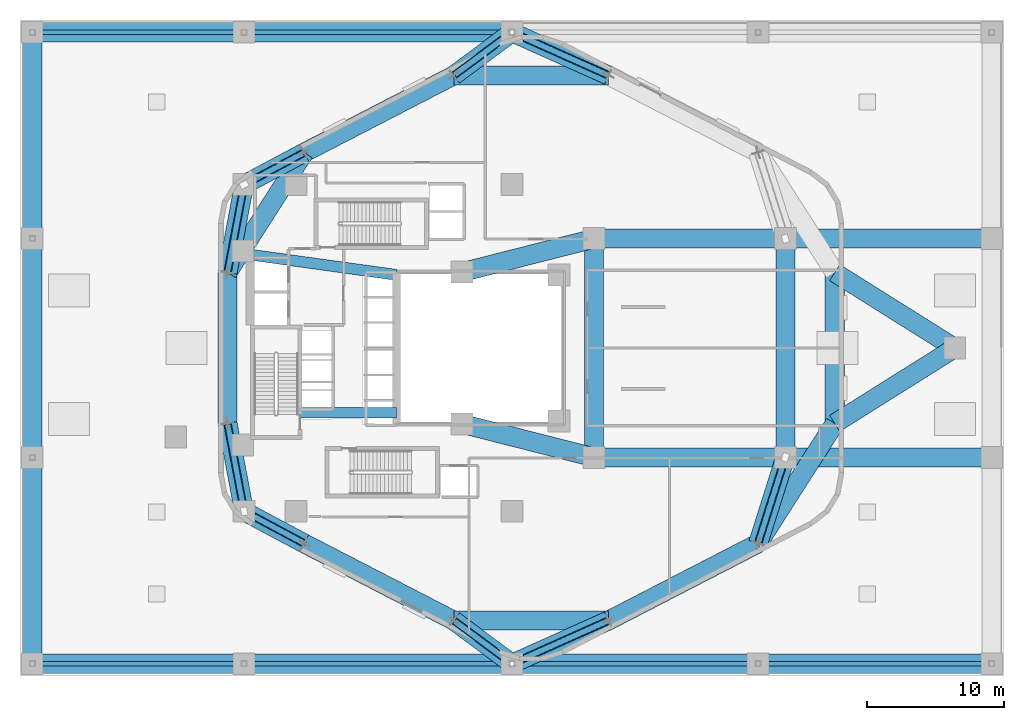
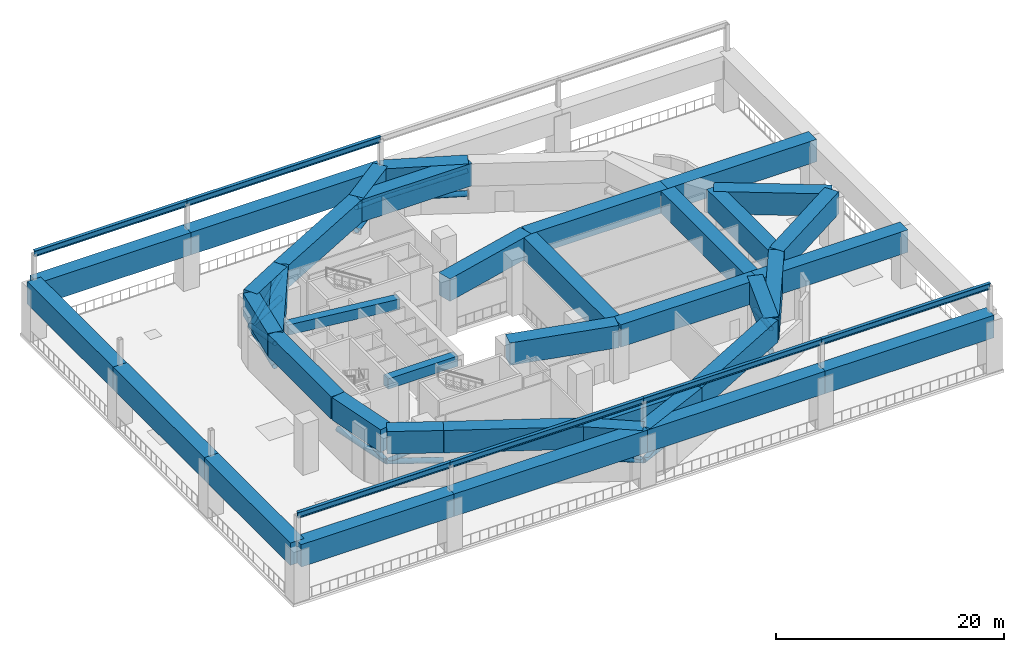
# One storey, part 5 of 15: 45 beams, 18 members.
"""IFC4 building model written with IfcOpenShell, lengths in metres."""

from ifc_helpers import new_model, si_unit, direction, frame, origin, origin_2d, place, context, subcontext, project, spatial, rectangle, hollow_circle, i_section, extrude, material, material_profile, profile_set, type_object, element, save


model = new_model("IFC4")

# Units and contexts
model_context = context("Model", 3, precision=1e-05, world=origin(), true_north=direction((0.0, 1.0)))
body_context = subcontext(model_context, "Body", "Model", "MODEL_VIEW")
ifc_project = project(units=[si_unit("LENGTHUNIT", "METRE"), si_unit("AREAUNIT", "SQUARE_METRE"), si_unit("VOLUMEUNIT", "CUBIC_METRE"), si_unit("PLANEANGLEUNIT", "RADIAN"), si_unit("MASSUNIT", "GRAM", prefix="KILO"), si_unit("THERMODYNAMICTEMPERATUREUNIT", "KELVIN"), si_unit("POWERUNIT", "WATT")], contexts=[model_context])

# Site, building, storey
site_placement = place(None, origin())
site = spatial("IfcSite", under=ifc_project, at=site_placement, CompositionType="ELEMENT")
building_placement = place(site_placement, origin())
building = spatial("IfcBuilding", under=site, at=building_placement, Name="Skarre Station Tower", CompositionType="ELEMENT")
storey_placement = place(building_placement, frame((0.0, 0.0, 21.0)))
storey = spatial("IfcBuildingStorey", under=building, at=storey_placement, Name="L05", CompositionType="ELEMENT", Elevation=21.0)

# Beams
ifc_material_1 = material(Name="Concrete C70/85", Category="concrete")
ifc_material_profile_1 = material_profile(ifc_material_1, rectangle(XDim=1.39990234375, YDim=2.39990234375, at=origin_2d()), Name="Concrete C70/85")
ifc_profile_set_1 = profile_set([ifc_material_profile_1], Name="Concrete C70/85")
beam_type_1 = type_object("IfcBeamType", Name="RC Concourse Transfer Girder 1400x2400", PredefinedType="USERDEFINED", material=ifc_profile_set_1)
beam_1_placement = place(storey_placement, frame((0.89990234375, 0.89990234375, 4.800048828125), z_axis=(1.0, 0.0, 0.0), x_axis=(0.0, 1.0, 0.0)))
element("IfcBeam", 1, at=beam_1_placement, inside=storey, type_object=beam_type_1, Name="L05 Concourse Transfer Girder TG-M01", ObjectType="TRANSFER_GIRDER", PredefinedType="USERDEFINED", context=body_context, shape_type="SweptSolid", body=[
    extrude(rectangle(XDim=1.39990234375, YDim=2.39990234375, at=origin_2d()), origin(), (0.0, 0.0, 1.0), 15.5),
])
beam_2_placement = place(storey_placement, frame((16.39990234375, 0.89990234375, 4.800048828125), z_axis=(1.0, 0.0, 0.0), x_axis=(0.0, 1.0, 0.0)))
element("IfcBeam", 2, at=beam_2_placement, inside=storey, type_object=beam_type_1, Name="L05 Concourse Transfer Girder TG-M02", ObjectType="TRANSFER_GIRDER", PredefinedType="USERDEFINED", context=body_context, shape_type="SweptSolid", body=[
    extrude(rectangle(XDim=1.39990234375, YDim=2.39990234375, at=origin_2d()), origin(), (0.0, 0.0, 1.0), 19.60009765625),
])
beam_3_placement = place(storey_placement, frame((36.0, 0.89990234375, 4.800048828125), z_axis=(1.0, 0.0, 0.0), x_axis=(0.0, 1.0, 0.0)))
element("IfcBeam", 3, at=beam_3_placement, inside=storey, type_object=beam_type_1, Name="L05 Concourse Transfer Girder TG-M03", ObjectType="TRANSFER_GIRDER", PredefinedType="USERDEFINED", context=body_context, shape_type="SweptSolid", body=[
    extrude(rectangle(XDim=1.39990234375, YDim=2.39990234375, at=origin_2d()), origin(), (0.0, 0.0, 1.0), 18.0),
])
beam_4_placement = place(storey_placement, frame((54.0, 0.89990234375, 4.800048828125), z_axis=(1.0, 0.0, 0.0), x_axis=(0.0, 1.0, 0.0)))
element("IfcBeam", 4, at=beam_4_placement, inside=storey, type_object=beam_type_1, Name="L05 Concourse Transfer Girder TG-M04", ObjectType="TRANSFER_GIRDER", PredefinedType="USERDEFINED", context=body_context, shape_type="SweptSolid", body=[
    extrude(rectangle(XDim=1.39990234375, YDim=2.39990234375, at=origin_2d()), origin(), (0.0, 0.0, 1.0), 17.10009765625),
])
beam_5_placement = place(storey_placement, frame((0.89990234375, 47.10009765625, 4.800048828125), z_axis=(1.0, 0.0, 0.0), x_axis=(0.0, 1.0, 0.0)))
element("IfcBeam", 5, at=beam_5_placement, inside=storey, type_object=beam_type_1, Name="L05 Concourse Transfer Girder TG-M05", ObjectType="TRANSFER_GIRDER", PredefinedType="USERDEFINED", context=body_context, shape_type="SweptSolid", body=[
    extrude(rectangle(XDim=1.39990234375, YDim=2.39990234375, at=origin_2d()), origin(), (0.0, 0.0, 1.0), 15.5),
])
beam_6_placement = place(storey_placement, frame((16.39990234375, 47.10009765625, 4.800048828125), z_axis=(1.0, 0.0, 0.0), x_axis=(0.0, 1.0, 0.0)))
element("IfcBeam", 6, at=beam_6_placement, inside=storey, type_object=beam_type_1, Name="L05 Concourse Transfer Girder TG-M06", ObjectType="TRANSFER_GIRDER", PredefinedType="USERDEFINED", context=body_context, shape_type="SweptSolid", body=[
    extrude(rectangle(XDim=1.39990234375, YDim=2.39990234375, at=origin_2d()), origin(), (0.0, 0.0, 1.0), 19.60009765625),
])
beam_7_placement = place(storey_placement, frame((0.89990234375, 0.89990234375, 4.800048828125), z_axis=(0.0, 1.0, 0.0), x_axis=(-1.0, 0.0, 0.0)))
element("IfcBeam", 7, at=beam_7_placement, inside=storey, type_object=beam_type_1, Name="L05 Concourse Transfer Girder TG-M09", ObjectType="TRANSFER_GIRDER", PredefinedType="USERDEFINED", context=body_context, shape_type="SweptSolid", body=[
    extrude(rectangle(XDim=1.39990234375, YDim=2.39990234375, at=origin_2d()), origin(), (0.0, 0.0, 1.0), 15.10009765625),
])
beam_8_placement = place(storey_placement, frame((0.89990234375, 16.0, 4.800048828125), z_axis=(0.0, 1.0, 0.0), x_axis=(-1.0, 0.0, 0.0)))
element("IfcBeam", 8, at=beam_8_placement, inside=storey, type_object=beam_type_1, Name="L05 Concourse Transfer Girder TG-M10", ObjectType="TRANSFER_GIRDER", PredefinedType="USERDEFINED", context=body_context, shape_type="SweptSolid", body=[
    extrude(rectangle(XDim=1.39990234375, YDim=2.39990234375, at=origin_2d()), origin(), (0.0, 0.0, 1.0), 16.0),
])
beam_9_placement = place(storey_placement, frame((0.89990234375, 32.0, 4.800048828125), z_axis=(0.0, 1.0, 0.0), x_axis=(-1.0, 0.0, 0.0)))
element("IfcBeam", 9, at=beam_9_placement, inside=storey, type_object=beam_type_1, Name="L05 Concourse Transfer Girder TG-M11", ObjectType="TRANSFER_GIRDER", PredefinedType="USERDEFINED", context=body_context, shape_type="SweptSolid", body=[
    extrude(rectangle(XDim=1.39990234375, YDim=2.39990234375, at=origin_2d()), origin(), (0.0, 0.0, 1.0), 15.10009765625),
])
beam_10_placement = place(storey_placement, frame((32.35009765625, 18.449951171875, 4.800048828125), z_axis=(0.969250360418, -0.246076692982, 0.0), x_axis=(0.246076692982, 0.969250360418, 0.0)))
element("IfcBeam", 10, at=beam_10_placement, inside=storey, type_object=beam_type_1, Name="L05 Concourse Transfer Girder TG-M15", ObjectType="TRANSFER_GIRDER", PredefinedType="USERDEFINED", context=body_context, shape_type="SweptSolid", body=[
    extrude(rectangle(XDim=1.39990234375, YDim=2.39990234375, at=origin_2d()), origin(), (0.0, 0.0, 1.0), 9.9560546875),
])
beam_11_placement = place(storey_placement, frame((42.0, 16.0, 4.800048828125), z_axis=(1.0, 0.0, 0.0), x_axis=(0.0, 1.0, 0.0)))
element("IfcBeam", 11, at=beam_11_placement, inside=storey, type_object=beam_type_1, Name="L05 Concourse Transfer Girder TG-M16", ObjectType="TRANSFER_GIRDER", PredefinedType="USERDEFINED", context=body_context, shape_type="SweptSolid", body=[
    extrude(rectangle(XDim=1.39990234375, YDim=2.39990234375, at=origin_2d()), origin(), (0.0, 0.0, 1.0), 14.0),
])
beam_12_placement = place(storey_placement, frame((56.0, 16.0, 4.800048828125), z_axis=(1.0, 0.0, 0.0), x_axis=(0.0, 1.0, 0.0)))
element("IfcBeam", 12, at=beam_12_placement, inside=storey, type_object=beam_type_1, Name="L05 Concourse Transfer Girder TG-M17", ObjectType="TRANSFER_GIRDER", PredefinedType="USERDEFINED", context=body_context, shape_type="SweptSolid", body=[
    extrude(rectangle(XDim=1.39990234375, YDim=2.39990234375, at=origin_2d()), origin(), (0.0, 0.0, 1.0), 15.10009765625),
])
beam_13_placement = place(storey_placement, frame((32.35009765625, 29.550048828125, 4.800048828125), z_axis=(0.969250360418, 0.246076692982, 0.0), x_axis=(-0.246076692982, 0.969250360418, 0.0)))
element("IfcBeam", 13, at=beam_13_placement, inside=storey, type_object=beam_type_1, Name="L05 Concourse Transfer Girder TG-M18", ObjectType="TRANSFER_GIRDER", PredefinedType="USERDEFINED", context=body_context, shape_type="SweptSolid", body=[
    extrude(rectangle(XDim=1.39990234375, YDim=2.39990234375, at=origin_2d()), origin(), (0.0, 0.0, 1.0), 9.9560546875),
])
beam_14_placement = place(storey_placement, frame((42.0, 32.0, 4.800048828125), z_axis=(1.0, 0.0, 0.0), x_axis=(0.0, 1.0, 0.0)))
element("IfcBeam", 14, at=beam_14_placement, inside=storey, type_object=beam_type_1, Name="L05 Concourse Transfer Girder TG-M19", ObjectType="TRANSFER_GIRDER", PredefinedType="USERDEFINED", context=body_context, shape_type="SweptSolid", body=[
    extrude(rectangle(XDim=1.39990234375, YDim=2.39990234375, at=origin_2d()), origin(), (0.0, 0.0, 1.0), 14.0),
])
beam_15_placement = place(storey_placement, frame((56.0, 32.0, 4.800048828125), z_axis=(1.0, 0.0, 0.0), x_axis=(0.0, 1.0, 0.0)))
element("IfcBeam", 15, at=beam_15_placement, inside=storey, type_object=beam_type_1, Name="L05 Concourse Transfer Girder TG-M20", ObjectType="TRANSFER_GIRDER", PredefinedType="USERDEFINED", context=body_context, shape_type="SweptSolid", body=[
    extrude(rectangle(XDim=1.39990234375, YDim=2.39990234375, at=origin_2d()), origin(), (0.0, 0.0, 1.0), 15.10009765625),
])
for number, where, z_axis, x_axis, name in (
    (16, (42.0, 16.0, 4.800048828125), (0.0, 1.0, 0.0), (-1.0, 0.0, 0.0), "L05 Concourse Transfer Girder TG-M21"),
    (17, (56.0, 16.0, 4.800048828125), (0.0, 1.0, 0.0), (-1.0, 0.0, 0.0), "L05 Concourse Transfer Girder TG-M22"),
):
    element("IfcBeam", number, at=place(storey_placement, frame(where, z_axis=z_axis, x_axis=x_axis)), inside=storey, type_object=beam_type_1, Name=name, ObjectType="TRANSFER_GIRDER", PredefinedType="USERDEFINED", context=body_context, shape_type="SweptSolid", body=[
        extrude(rectangle(XDim=1.39990234375, YDim=2.39990234375, at=origin_2d()), origin(), (0.0, 0.0, 1.0), 16.0),
    ])
beam_16_placement = place(storey_placement, frame((43.06005859375, 43.947021484375, 4.800048828125), z_axis=(-1.0, 0.0, 0.0), x_axis=(0.0, -1.0, 0.0)))
element("IfcBeam", 18, at=beam_16_placement, inside=storey, type_object=beam_type_1, Name="L05 Hexagonal Ring Transfer Girder 2", ObjectType="TRANSFER_GIRDER", PredefinedType="USERDEFINED", context=body_context, shape_type="SweptSolid", body=[
    extrude(rectangle(XDim=1.39990234375, YDim=2.39990234375, at=origin_2d()), origin(), (0.0, 0.0, 1.0), 11.320068359375),
])
beam_17_placement = place(storey_placement, frame((31.739990234375, 43.947021484375, 4.800048828125), z_axis=(-0.888658695823, -0.458569212158, 0.0), x_axis=(0.458569212158, -0.888658695823, 0.0)))
element("IfcBeam", 19, at=beam_17_placement, inside=storey, type_object=beam_type_1, Name="L05 Hexagonal Ring Transfer Girder 3", ObjectType="TRANSFER_GIRDER", PredefinedType="USERDEFINED", context=body_context, shape_type="SweptSolid", body=[
    extrude(rectangle(XDim=1.39990234375, YDim=2.39990234375, at=origin_2d()), origin(), (0.0, 0.0, 1.0), 12.318603515625),
])
beam_18_placement = place(storey_placement, frame((20.79296875, 38.298095703125, 4.800048828125), z_axis=(-0.538277829225, -0.842767452246, 0.0), x_axis=(0.842767452246, -0.538277829225, 0.0)))
element("IfcBeam", 20, at=beam_18_placement, inside=storey, type_object=beam_type_1, Name="L05 Hexagonal Ring Transfer Girder 4", ObjectType="TRANSFER_GIRDER", PredefinedType="USERDEFINED", context=body_context, shape_type="SweptSolid", body=[
    extrude(rectangle(XDim=1.39990234375, YDim=2.39990234375, at=origin_2d()), origin(), (0.0, 0.0, 1.0), 10.41455078125),
])
beam_19_placement = place(storey_placement, frame((15.18701171875, 29.52099609375, 4.800048828125), z_axis=(0.0, -1.0, 0.0), x_axis=(1.0, 0.0, 0.0)))
element("IfcBeam", 21, at=beam_19_placement, inside=storey, type_object=beam_type_1, Name="L05 Hexagonal Ring Transfer Girder 5", ObjectType="TRANSFER_GIRDER", PredefinedType="USERDEFINED", context=body_context, shape_type="SweptSolid", body=[
    extrude(rectangle(XDim=1.39990234375, YDim=2.39990234375, at=origin_2d()), origin(), (0.0, 0.0, 1.0), 11.0419921875),
])
beam_20_placement = place(storey_placement, frame((20.79296875, 9.701904296875, 4.800048828125), z_axis=(0.888658695823, -0.458569212158, 0.0), x_axis=(0.458569212158, 0.888658695823, 0.0)))
element("IfcBeam", 22, at=beam_20_placement, inside=storey, type_object=beam_type_1, Name="L05 Hexagonal Ring Transfer Girder 7", ObjectType="TRANSFER_GIRDER", PredefinedType="USERDEFINED", context=body_context, shape_type="SweptSolid", body=[
    extrude(rectangle(XDim=1.39990234375, YDim=2.39990234375, at=origin_2d()), origin(), (0.0, 0.0, 1.0), 12.318603515625),
])
beam_21_placement = place(storey_placement, frame((31.739990234375, 4.052978515625, 4.800048828125), z_axis=(1.0, 0.0, 0.0), x_axis=(0.0, 1.0, 0.0)))
element("IfcBeam", 23, at=beam_21_placement, inside=storey, type_object=beam_type_1, Name="L05 Hexagonal Ring Transfer Girder 8", ObjectType="TRANSFER_GIRDER", PredefinedType="USERDEFINED", context=body_context, shape_type="SweptSolid", body=[
    extrude(rectangle(XDim=1.39990234375, YDim=2.39990234375, at=origin_2d()), origin(), (0.0, 0.0, 1.0), 11.320068359375),
])
beam_22_placement = place(storey_placement, frame((43.06005859375, 4.052978515625, 4.800048828125), z_axis=(0.888658695823, 0.458569212158, 0.0), x_axis=(-0.458569212158, 0.888658695823, 0.0)))
element("IfcBeam", 24, at=beam_22_placement, inside=storey, type_object=beam_type_1, Name="L05 Hexagonal Ring Transfer Girder 9", ObjectType="TRANSFER_GIRDER", PredefinedType="USERDEFINED", context=body_context, shape_type="SweptSolid", body=[
    extrude(rectangle(XDim=1.39990234375, YDim=2.39990234375, at=origin_2d()), origin(), (0.0, 0.0, 1.0), 12.318603515625),
])
beam_23_placement = place(storey_placement, frame((54.007080078125, 9.701904296875, 4.800048828125), z_axis=(0.538277829225, 0.842767452246, 0.0), x_axis=(-0.842767452246, 0.538277829225, 0.0)))
element("IfcBeam", 25, at=beam_23_placement, inside=storey, type_object=beam_type_1, Name="L05 Hexagonal Ring Transfer Girder 10", ObjectType="TRANSFER_GIRDER", PredefinedType="USERDEFINED", context=body_context, shape_type="SweptSolid", body=[
    extrude(rectangle(XDim=1.39990234375, YDim=2.39990234375, at=origin_2d()), origin(), (0.0, 0.0, 1.0), 10.41455078125),
])
beam_24_placement = place(storey_placement, frame((59.613037109375, 18.47900390625, 4.800048828125), z_axis=(0.0, 1.0, 0.0), x_axis=(-1.0, 0.0, 0.0)))
element("IfcBeam", 26, at=beam_24_placement, inside=storey, type_object=beam_type_1, Name="L05 Hexagonal Ring Transfer Girder 11", ObjectType="TRANSFER_GIRDER", PredefinedType="USERDEFINED", context=body_context, shape_type="SweptSolid", body=[
    extrude(rectangle(XDim=1.39990234375, YDim=2.39990234375, at=origin_2d()), origin(), (0.0, 0.0, 1.0), 11.0419921875),
])
beam_25_placement = place(storey_placement, frame((36.0, 47.10009765625, 4.800048828125), z_axis=(0.91307700639, -0.407787175376, 0.0), x_axis=(0.407787175376, 0.91307700639, 0.0)))
element("IfcBeam", 27, at=beam_25_placement, inside=storey, type_object=beam_type_1, Name="L05 Radial Transfer Girder F0C2", ObjectType="TRANSFER_GIRDER", PredefinedType="USERDEFINED", context=body_context, shape_type="SweptSolid", body=[
    extrude(rectangle(XDim=1.39990234375, YDim=2.39990234375, at=origin_2d()), origin(), (0.0, 0.0, 1.0), 7.732177734375),
])
beam_26_placement = place(storey_placement, frame((36.0, 47.10009765625, 4.800048828125), z_axis=(-0.803781543152, -0.594924558989, 0.0), x_axis=(0.594924558989, -0.803781543152, 0.0)))
element("IfcBeam", 28, at=beam_26_placement, inside=storey, type_object=beam_type_1, Name="L05 Radial Transfer Girder F1C1", ObjectType="TRANSFER_GIRDER", PredefinedType="USERDEFINED", context=body_context, shape_type="SweptSolid", body=[
    extrude(rectangle(XDim=1.39990234375, YDim=2.39990234375, at=origin_2d()), origin(), (0.0, 0.0, 1.0), 5.300048828125),
])
beam_27_placement = place(storey_placement, frame((16.39990234375, 35.949951171875, 4.800048828125), z_axis=(0.881921129465, 0.471396989174, 0.0), x_axis=(-0.471396989174, 0.881921129465, 0.0)))
element("IfcBeam", 29, at=beam_27_placement, inside=storey, type_object=beam_type_1, Name="L05 Radial Transfer Girder F1C2", ObjectType="TRANSFER_GIRDER", PredefinedType="USERDEFINED", context=body_context, shape_type="SweptSolid", body=[
    extrude(rectangle(XDim=1.39990234375, YDim=2.39990234375, at=origin_2d()), origin(), (0.0, 0.0, 1.0), 4.981201171875),
])
for number, where, z_axis, x_axis, name in (
    (30, (16.39990234375, 35.949951171875, 4.800048828125), (-0.185390182083, -0.982664988888, 0.0), (0.982664988888, -0.185390182083, 0.0), "L05 Radial Transfer Girder F2C1"),
    (31, (16.39990234375, 12.050048828125, 4.800048828125), (-0.185390182083, 0.982664988888, 0.0), (-0.982664988888, -0.185390182083, 0.0), "L05 Radial Transfer Girder F2C2"),
):
    element("IfcBeam", number, at=place(storey_placement, frame(where, z_axis=z_axis, x_axis=x_axis)), inside=storey, type_object=beam_type_1, Name=name, ObjectType="TRANSFER_GIRDER", PredefinedType="USERDEFINED", context=body_context, shape_type="SweptSolid", body=[
        extrude(rectangle(XDim=1.39990234375, YDim=2.39990234375, at=origin_2d()), origin(), (0.0, 0.0, 1.0), 6.54248046875),
    ])
beam_28_placement = place(storey_placement, frame((16.39990234375, 12.050048828125, 4.800048828125), z_axis=(0.881921129465, -0.471396989174, 0.0), x_axis=(0.471396989174, 0.881921129465, 0.0)))
element("IfcBeam", 32, at=beam_28_placement, inside=storey, type_object=beam_type_1, Name="L05 Radial Transfer Girder F3C1", ObjectType="TRANSFER_GIRDER", PredefinedType="USERDEFINED", context=body_context, shape_type="SweptSolid", body=[
    extrude(rectangle(XDim=1.39990234375, YDim=2.39990234375, at=origin_2d()), origin(), (0.0, 0.0, 1.0), 4.981201171875),
])
beam_29_placement = place(storey_placement, frame((36.0, 0.89990234375, 4.800048828125), z_axis=(-0.803781543152, 0.594924558989, 0.0), x_axis=(-0.594924558989, -0.803781543152, 0.0)))
element("IfcBeam", 33, at=beam_29_placement, inside=storey, type_object=beam_type_1, Name="L05 Radial Transfer Girder F3C2", ObjectType="TRANSFER_GIRDER", PredefinedType="USERDEFINED", context=body_context, shape_type="SweptSolid", body=[
    extrude(rectangle(XDim=1.39990234375, YDim=2.39990234375, at=origin_2d()), origin(), (0.0, 0.0, 1.0), 5.300048828125),
])
beam_30_placement = place(storey_placement, frame((36.0, 0.89990234375, 4.800048828125), z_axis=(0.91307700639, 0.407787175376, 0.0), x_axis=(-0.407787175376, 0.91307700639, 0.0)))
element("IfcBeam", 34, at=beam_30_placement, inside=storey, type_object=beam_type_1, Name="L05 Radial Transfer Girder F4C1", ObjectType="TRANSFER_GIRDER", PredefinedType="USERDEFINED", context=body_context, shape_type="SweptSolid", body=[
    extrude(rectangle(XDim=1.39990234375, YDim=2.39990234375, at=origin_2d()), origin(), (0.0, 0.0, 1.0), 7.732177734375),
])
beam_31_placement = place(storey_placement, frame((56.0, 16.0, 4.800048828125), z_axis=(-0.301688479934, -0.953406556027, 0.0), x_axis=(0.953406556027, -0.301688479934, 0.0)))
element("IfcBeam", 35, at=beam_31_placement, inside=storey, type_object=beam_type_1, Name="L05 Radial Transfer Girder F4C2", ObjectType="TRANSFER_GIRDER", PredefinedType="USERDEFINED", context=body_context, shape_type="SweptSolid", body=[
    extrude(rectangle(XDim=1.39990234375, YDim=2.39990234375, at=origin_2d()), origin(), (0.0, 0.0, 1.0), 6.60595703125),
])
for number, where, z_axis, x_axis, name in (
    (36, (68.39990234375, 24.0, 4.800048828125), (-0.846731026066, -0.53202121151, 0.0), (0.53202121151, -0.846731026066, 0.0), "L05 Radial Transfer Girder F5C1"),
    (37, (68.39990234375, 24.0, 4.800048828125), (-0.846731026066, 0.53202121151, 0.0), (-0.53202121151, -0.846731026066, 0.0), "L05 Radial Transfer Girder F5C2"),
):
    element("IfcBeam", number, at=place(storey_placement, frame(where, z_axis=z_axis, x_axis=x_axis)), inside=storey, type_object=beam_type_1, Name=name, ObjectType="TRANSFER_GIRDER", PredefinedType="USERDEFINED", context=body_context, shape_type="SweptSolid", body=[
        extrude(rectangle(XDim=1.39990234375, YDim=2.39990234375, at=origin_2d()), origin(), (0.0, 0.0, 1.0), 10.37744140625),
    ])
ifc_material_profile_2 = material_profile(ifc_material_1, rectangle(XDim=0.800048828125, YDim=1.10009765625, at=origin_2d()), Name="Concrete C70/85")
ifc_profile_set_2 = profile_set([ifc_material_profile_2], Name="Concrete C70/85")
beam_type_2 = type_object("IfcBeamType", Name="RC Core Coupling Lintel 800x1100", PredefinedType="LINTEL", material=ifc_profile_set_2)
beam_32_placement = place(storey_placement, frame((20.489990234375, 19.260009765625, 5.030029296875), z_axis=(1.0, 0.0, 0.0), x_axis=(0.0, 1.0, 0.0)))
element("IfcBeam", 38, at=beam_32_placement, inside=storey, type_object=beam_type_2, Name="L05 South Core Coupling Lintel", PredefinedType="LINTEL", context=body_context, shape_type="SweptSolid", body=[
    extrude(rectangle(XDim=0.800048828125, YDim=1.10009765625, at=origin_2d()), origin(), (0.0, 0.0, 1.0), 7.06005859375),
])
beam_33_placement = place(storey_placement, frame((17.050048828125, 30.800048828125, 5.030029296875), z_axis=(0.990599723633, -0.136792498109, 0.0), x_axis=(0.136792498109, 0.990599723633, 0.0)))
element("IfcBeam", 39, at=beam_33_placement, inside=storey, type_object=beam_type_2, Name="L05 North Core Coupling Lintel", PredefinedType="LINTEL", context=body_context, shape_type="SweptSolid", body=[
    extrude(rectangle(XDim=0.800048828125, YDim=1.10009765625, at=origin_2d()), origin(), (0.0, 0.0, 1.0), 10.599609375),
])
ifc_material_2 = material(Name="Steel ASTM A992 Grade 50", Category="steel")
ifc_material_profile_3 = material_profile(ifc_material_2, i_section(OverallWidth=0.327880859375, OverallDepth=0.6279296875, WebThickness=0.01708984375, FlangeThickness=0.028076171875, at=origin_2d()), Name="Steel ASTM A992 Grade 50")
ifc_profile_set_3 = profile_set([ifc_material_profile_3], Name="Steel ASTM A992 Grade 50")
beam_type_3 = type_object("IfcBeamType", Name="Steel Spandrel W24X146", PredefinedType="SPANDREL", material=ifc_profile_set_3)
beam_34_placement = place(storey_placement, frame((0.89990234375, 0.89990234375, 8.785888671875), z_axis=(1.0, 0.0, 0.0), x_axis=(0.0, 1.0, 0.0)))
element("IfcBeam", 40, at=beam_34_placement, inside=storey, type_object=beam_type_3, Name="L05 Pergola Tie Beam 1", PredefinedType="SPANDREL", context=body_context, shape_type="SweptSolid", body=[
    extrude(i_section(OverallWidth=0.327880859375, OverallDepth=0.6279296875, WebThickness=0.01708984375, FlangeThickness=0.028076171875, at=origin_2d()), origin(), (0.0, 0.0, 1.0), 15.5),
])
beam_35_placement = place(storey_placement, frame((16.39990234375, 0.89990234375, 8.785888671875), z_axis=(1.0, 0.0, 0.0), x_axis=(0.0, 1.0, 0.0)))
element("IfcBeam", 41, at=beam_35_placement, inside=storey, type_object=beam_type_3, Name="L05 Pergola Tie Beam 2", PredefinedType="SPANDREL", context=body_context, shape_type="SweptSolid", body=[
    extrude(i_section(OverallWidth=0.327880859375, OverallDepth=0.6279296875, WebThickness=0.01708984375, FlangeThickness=0.028076171875, at=origin_2d()), origin(), (0.0, 0.0, 1.0), 19.60009765625),
])
beam_36_placement = place(storey_placement, frame((36.0, 0.89990234375, 8.785888671875), z_axis=(1.0, 0.0, 0.0), x_axis=(0.0, 1.0, 0.0)))
element("IfcBeam", 42, at=beam_36_placement, inside=storey, type_object=beam_type_3, Name="L05 Pergola Tie Beam 3", PredefinedType="SPANDREL", context=body_context, shape_type="SweptSolid", body=[
    extrude(i_section(OverallWidth=0.327880859375, OverallDepth=0.6279296875, WebThickness=0.01708984375, FlangeThickness=0.028076171875, at=origin_2d()), origin(), (0.0, 0.0, 1.0), 18.0),
])
beam_37_placement = place(storey_placement, frame((54.0, 0.89990234375, 8.785888671875), z_axis=(1.0, 0.0, 0.0), x_axis=(0.0, 1.0, 0.0)))
element("IfcBeam", 43, at=beam_37_placement, inside=storey, type_object=beam_type_3, Name="L05 Pergola Tie Beam 4", PredefinedType="SPANDREL", context=body_context, shape_type="SweptSolid", body=[
    extrude(i_section(OverallWidth=0.327880859375, OverallDepth=0.6279296875, WebThickness=0.01708984375, FlangeThickness=0.028076171875, at=origin_2d()), origin(), (0.0, 0.0, 1.0), 17.10009765625),
])
beam_38_placement = place(storey_placement, frame((0.89990234375, 47.10009765625, 8.785888671875), z_axis=(1.0, 0.0, 0.0), x_axis=(0.0, 1.0, 0.0)))
element("IfcBeam", 44, at=beam_38_placement, inside=storey, type_object=beam_type_3, Name="L05 Pergola Tie Beam 5", PredefinedType="SPANDREL", context=body_context, shape_type="SweptSolid", body=[
    extrude(i_section(OverallWidth=0.327880859375, OverallDepth=0.6279296875, WebThickness=0.01708984375, FlangeThickness=0.028076171875, at=origin_2d()), origin(), (0.0, 0.0, 1.0), 15.5),
])
beam_39_placement = place(storey_placement, frame((16.39990234375, 47.10009765625, 8.785888671875), z_axis=(1.0, 0.0, 0.0), x_axis=(0.0, 1.0, 0.0)))
element("IfcBeam", 45, at=beam_39_placement, inside=storey, type_object=beam_type_3, Name="L05 Pergola Tie Beam 6", PredefinedType="SPANDREL", context=body_context, shape_type="SweptSolid", body=[
    extrude(i_section(OverallWidth=0.327880859375, OverallDepth=0.6279296875, WebThickness=0.01708984375, FlangeThickness=0.028076171875, at=origin_2d()), origin(), (0.0, 0.0, 1.0), 19.60009765625),
])

# Members
ifc_material_3 = material(Name="Steel ASTM A500 Grade C", Category="steel")
ifc_material_profile_4 = material_profile(ifc_material_3, hollow_circle(Radius=0.228515625, WallThickness=0.02001953125, at=origin_2d()), Name="Steel ASTM A500 Grade C")
ifc_profile_set_4 = profile_set([ifc_material_profile_4], Name="Steel ASTM A500 Grade C")
member_type_1 = type_object("IfcMemberType", Name="Steel Truss Brace CHS457X20", PredefinedType="BRACE", material=ifc_profile_set_4)
member_1_placement = place(storey_placement, frame((36.0, 47.10009765625, 2.35009765625), z_axis=(0.870428410064, -0.388739986029, 0.302052323639), x_axis=(0.407787175376, 0.91307700639, 0.0)))
element("IfcMember", 46, at=member_1_placement, inside=storey, type_object=member_type_1, Name="L05 Concourse Transfer Truss Diagonal F0C2", PredefinedType="BRACE", context=body_context, shape_type="SweptSolid", body=[
    extrude(hollow_circle(Radius=0.228515625, WallThickness=0.02001953125, at=origin_2d()), origin(), (0.0, 0.0, 1.0), 8.111083984375),
])
member_2_placement = place(storey_placement, frame((36.0, 47.10009765625, 2.35009765625), z_axis=(-0.729600993372, -0.54001930365, 0.419596880537), x_axis=(0.594924558989, -0.803781543152, 0.0)))
element("IfcMember", 47, at=member_2_placement, inside=storey, type_object=member_type_1, Name="L05 Concourse Transfer Truss Diagonal F1C1", PredefinedType="BRACE", context=body_context, shape_type="SweptSolid", body=[
    extrude(hollow_circle(Radius=0.228515625, WallThickness=0.02001953125, at=origin_2d()), origin(), (0.0, 0.0, 1.0), 5.8388671875),
])
member_3_placement = place(storey_placement, frame((16.39990234375, 35.949951171875, 2.35009765625), z_axis=(0.791381961817, 0.423002762518, 0.441342557899), x_axis=(-0.471396989174, 0.881921129465, 0.0)))
element("IfcMember", 48, at=member_3_placement, inside=storey, type_object=member_type_1, Name="L05 Concourse Transfer Truss Diagonal F1C2", PredefinedType="BRACE", context=body_context, shape_type="SweptSolid", body=[
    extrude(hollow_circle(Radius=0.228515625, WallThickness=0.02001953125, at=origin_2d()), origin(), (0.0, 0.0, 1.0), 5.551025390625),
])
for number, where, z_axis, x_axis, name in (
    (49, (16.39990234375, 35.949951171875, 2.35009765625), (-0.173616200137, -0.920256722666, 0.350692143393), (0.982664988888, -0.185390182083, 0.0), "L05 Concourse Transfer Truss Diagonal F2C1"),
    (50, (16.39990234375, 12.050048828125, 2.35009765625), (-0.173616200137, 0.920256722666, 0.350692143393), (-0.982664988888, -0.185390182083, 0.0), "L05 Concourse Transfer Truss Diagonal F2C2"),
):
    element("IfcMember", number, at=place(storey_placement, frame(where, z_axis=z_axis, x_axis=x_axis)), inside=storey, type_object=member_type_1, Name=name, PredefinedType="BRACE", context=body_context, shape_type="SweptSolid", body=[
        extrude(hollow_circle(Radius=0.228515625, WallThickness=0.02001953125, at=origin_2d()), origin(), (0.0, 0.0, 1.0), 6.986083984375),
    ])
member_4_placement = place(storey_placement, frame((16.39990234375, 12.050048828125, 2.35009765625), z_axis=(0.791381961817, -0.423002762518, 0.441342557899), x_axis=(0.471396989174, 0.881921129465, 0.0)))
element("IfcMember", 51, at=member_4_placement, inside=storey, type_object=member_type_1, Name="L05 Concourse Transfer Truss Diagonal F3C1", PredefinedType="BRACE", context=body_context, shape_type="SweptSolid", body=[
    extrude(hollow_circle(Radius=0.228515625, WallThickness=0.02001953125, at=origin_2d()), origin(), (0.0, 0.0, 1.0), 5.551025390625),
])
member_5_placement = place(storey_placement, frame((36.0, 0.89990234375, 2.35009765625), z_axis=(-0.729600993372, 0.54001930365, 0.419596880537), x_axis=(-0.594924558989, -0.803781543152, 0.0)))
element("IfcMember", 52, at=member_5_placement, inside=storey, type_object=member_type_1, Name="L05 Concourse Transfer Truss Diagonal F3C2", PredefinedType="BRACE", context=body_context, shape_type="SweptSolid", body=[
    extrude(hollow_circle(Radius=0.228515625, WallThickness=0.02001953125, at=origin_2d()), origin(), (0.0, 0.0, 1.0), 5.8388671875),
])
member_6_placement = place(storey_placement, frame((36.0, 0.89990234375, 2.35009765625), z_axis=(0.870428410064, 0.388739986029, 0.302052323639), x_axis=(-0.407787175376, 0.91307700639, 0.0)))
element("IfcMember", 53, at=member_6_placement, inside=storey, type_object=member_type_1, Name="L05 Concourse Transfer Truss Diagonal F4C1", PredefinedType="BRACE", context=body_context, shape_type="SweptSolid", body=[
    extrude(hollow_circle(Radius=0.228515625, WallThickness=0.02001953125, at=origin_2d()), origin(), (0.0, 0.0, 1.0), 8.111083984375),
])
member_7_placement = place(storey_placement, frame((56.0, 16.0, 2.35009765625), z_axis=(-0.282861579352, -0.893909121959, 0.347729504937), x_axis=(0.953406556027, -0.301688479934, 0.0)))
element("IfcMember", 54, at=member_7_placement, inside=storey, type_object=member_type_1, Name="L05 Concourse Transfer Truss Diagonal F4C2", PredefinedType="BRACE", context=body_context, shape_type="SweptSolid", body=[
    extrude(hollow_circle(Radius=0.228515625, WallThickness=0.02001953125, at=origin_2d()), origin(), (0.0, 0.0, 1.0), 7.045654296875),
])
ifc_material_4 = material(Name="Steel ASTM A501 Grade B", Category="steel")
ifc_material_profile_5 = material_profile(ifc_material_4, hollow_circle(Radius=0.279541015625, WallThickness=0.02490234375, at=origin_2d()), Name="Steel ASTM A501 Grade B")
ifc_profile_set_5 = profile_set([ifc_material_profile_5], Name="Steel ASTM A501 Grade B")
member_type_2 = type_object("IfcMemberType", Name="Steel Truss Chord CHS559X25", PredefinedType="CHORD", material=ifc_profile_set_5)
member_8_placement = place(storey_placement, frame((36.0, 47.10009765625, 2.35009765625), z_axis=(0.91307700639, -0.407787175376, 0.0), x_axis=(0.407787175376, 0.91307700639, 0.0)))
element("IfcMember", 55, at=member_8_placement, inside=storey, type_object=member_type_2, Name="L05 Concourse Transfer Truss Bottom Chord F0C2", PredefinedType="CHORD", context=body_context, shape_type="SweptSolid", body=[
    extrude(hollow_circle(Radius=0.279541015625, WallThickness=0.02490234375, at=origin_2d()), origin(), (0.0, 0.0, 1.0), 7.732177734375),
])
member_9_placement = place(storey_placement, frame((36.0, 47.10009765625, 2.35009765625), z_axis=(-0.803781543152, -0.594924558989, 0.0), x_axis=(0.594924558989, -0.803781543152, 0.0)))
element("IfcMember", 56, at=member_9_placement, inside=storey, type_object=member_type_2, Name="L05 Concourse Transfer Truss Bottom Chord F1C1", PredefinedType="CHORD", context=body_context, shape_type="SweptSolid", body=[
    extrude(hollow_circle(Radius=0.279541015625, WallThickness=0.02490234375, at=origin_2d()), origin(), (0.0, 0.0, 1.0), 5.300048828125),
])
member_10_placement = place(storey_placement, frame((16.39990234375, 35.949951171875, 2.35009765625), z_axis=(0.881921129465, 0.471396989174, 0.0), x_axis=(-0.471396989174, 0.881921129465, 0.0)))
element("IfcMember", 57, at=member_10_placement, inside=storey, type_object=member_type_2, Name="L05 Concourse Transfer Truss Bottom Chord F1C2", PredefinedType="CHORD", context=body_context, shape_type="SweptSolid", body=[
    extrude(hollow_circle(Radius=0.279541015625, WallThickness=0.02490234375, at=origin_2d()), origin(), (0.0, 0.0, 1.0), 4.981201171875),
])
for number, where, z_axis, x_axis, name in (
    (58, (16.39990234375, 35.949951171875, 2.35009765625), (-0.185390182083, -0.982664988888, 0.0), (0.982664988888, -0.185390182083, 0.0), "L05 Concourse Transfer Truss Bottom Chord F2C1"),
    (59, (16.39990234375, 12.050048828125, 2.35009765625), (-0.185390182083, 0.982664988888, 0.0), (-0.982664988888, -0.185390182083, 0.0), "L05 Concourse Transfer Truss Bottom Chord F2C2"),
):
    element("IfcMember", number, at=place(storey_placement, frame(where, z_axis=z_axis, x_axis=x_axis)), inside=storey, type_object=member_type_2, Name=name, PredefinedType="CHORD", context=body_context, shape_type="SweptSolid", body=[
        extrude(hollow_circle(Radius=0.279541015625, WallThickness=0.02490234375, at=origin_2d()), origin(), (0.0, 0.0, 1.0), 6.54248046875),
    ])
member_11_placement = place(storey_placement, frame((16.39990234375, 12.050048828125, 2.35009765625), z_axis=(0.881921129465, -0.471396989174, 0.0), x_axis=(0.471396989174, 0.881921129465, 0.0)))
element("IfcMember", 60, at=member_11_placement, inside=storey, type_object=member_type_2, Name="L05 Concourse Transfer Truss Bottom Chord F3C1", PredefinedType="CHORD", context=body_context, shape_type="SweptSolid", body=[
    extrude(hollow_circle(Radius=0.279541015625, WallThickness=0.02490234375, at=origin_2d()), origin(), (0.0, 0.0, 1.0), 4.981201171875),
])
member_12_placement = place(storey_placement, frame((36.0, 0.89990234375, 2.35009765625), z_axis=(-0.803781543152, 0.594924558989, 0.0), x_axis=(-0.594924558989, -0.803781543152, 0.0)))
element("IfcMember", 61, at=member_12_placement, inside=storey, type_object=member_type_2, Name="L05 Concourse Transfer Truss Bottom Chord F3C2", PredefinedType="CHORD", context=body_context, shape_type="SweptSolid", body=[
    extrude(hollow_circle(Radius=0.279541015625, WallThickness=0.02490234375, at=origin_2d()), origin(), (0.0, 0.0, 1.0), 5.300048828125),
])
member_13_placement = place(storey_placement, frame((36.0, 0.89990234375, 2.35009765625), z_axis=(0.91307700639, 0.407787175376, 0.0), x_axis=(-0.407787175376, 0.91307700639, 0.0)))
element("IfcMember", 62, at=member_13_placement, inside=storey, type_object=member_type_2, Name="L05 Concourse Transfer Truss Bottom Chord F4C1", PredefinedType="CHORD", context=body_context, shape_type="SweptSolid", body=[
    extrude(hollow_circle(Radius=0.279541015625, WallThickness=0.02490234375, at=origin_2d()), origin(), (0.0, 0.0, 1.0), 7.732177734375),
])
member_14_placement = place(storey_placement, frame((56.0, 16.0, 2.35009765625), z_axis=(-0.301688479934, -0.953406556027, 0.0), x_axis=(0.953406556027, -0.301688479934, 0.0)))
element("IfcMember", 63, at=member_14_placement, inside=storey, type_object=member_type_2, Name="L05 Concourse Transfer Truss Bottom Chord F4C2", PredefinedType="CHORD", context=body_context, shape_type="SweptSolid", body=[
    extrude(hollow_circle(Radius=0.279541015625, WallThickness=0.02490234375, at=origin_2d()), origin(), (0.0, 0.0, 1.0), 6.60595703125),
])

save(model, "model.ifc")
